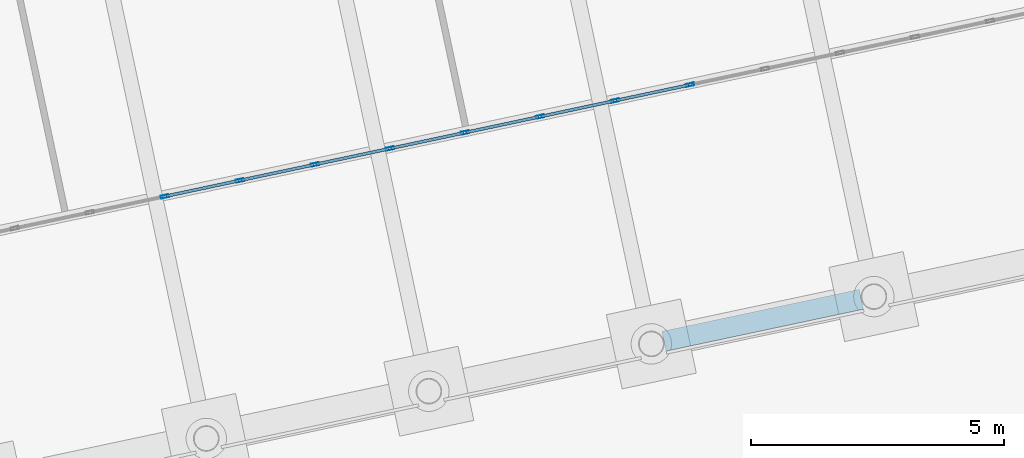
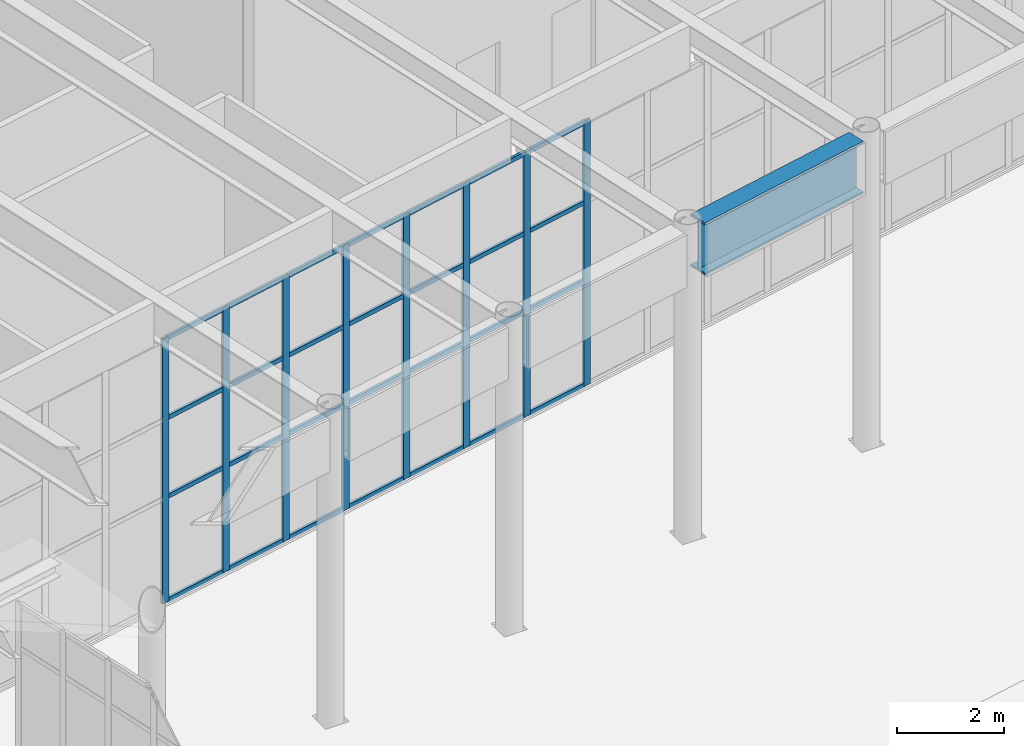
# One storey, part 91 of 239: 36 members, 1 beam, 1 element without a shape of its own.
"""IFC4 building model written with IfcOpenShell, lengths in metres."""

from ifc_helpers import new_model, si_unit, direction, frame, origin, origin_2d, place, context, subcontext, project, spatial, hollow_rectangle, i_section, extrude, material, material_profile, profile_set, type_object, element, aggregate, save


model = new_model("IFC4")

# Units and contexts
model_context = context("Model", 3, precision=1e-05, world=origin(), true_north=direction((0.0, 1.0)))
body_context = subcontext(model_context, "Body", "Model", "MODEL_VIEW")
ifc_project = project(units=[si_unit("LENGTHUNIT", "METRE"), si_unit("AREAUNIT", "SQUARE_METRE"), si_unit("VOLUMEUNIT", "CUBIC_METRE"), si_unit("PLANEANGLEUNIT", "RADIAN"), si_unit("MASSUNIT", "GRAM", prefix="KILO")], contexts=[model_context])

# Site, building, storey
site_placement = place(None, origin())
site = spatial("IfcSite", under=ifc_project, at=site_placement, CompositionType="ELEMENT")
building_placement = place(site_placement, origin())
building = spatial("IfcBuilding", under=site, at=building_placement, Name="Okhra Congress Centre", CompositionType="ELEMENT")
storey_placement = place(building_placement, origin())
storey = spatial("IfcBuildingStorey", under=building, at=storey_placement, Name="L00", CompositionType="ELEMENT", Elevation=0.0)

# Curtain wall, members
ifc_material_1 = material(Name="Aluminium curtain wall, triple glazing", Category="aluminium")
curtain_wall_type = type_object("IfcCurtainWallType", Name="Curtain wall 1500 module", PredefinedType="NOTDEFINED", material=ifc_material_1)
curtain_wall_placement = place(storey_placement, origin())
curtain_wall = element("IfcCurtainWall", 1, at=curtain_wall_placement, inside=storey, type_object=curtain_wall_type, Name="Ground curtain wall S4", PredefinedType="NOTDEFINED")
ifc_material_2 = material(Name="Aluminium alloy EN AW-6063 T66", Category="aluminium")
ifc_material_profile_1 = material_profile(ifc_material_2, hollow_rectangle(XDim=0.06005859375, YDim=0.159912109375, WallThickness=0.00390625, at=origin_2d()), Name="RHS 60x160x4")
ifc_profile_set_1 = profile_set([ifc_material_profile_1], Name="Aluminium alloy EN AW-6063 T66")
member_type_1 = type_object("IfcMemberType", Name="Curtain wall mullion 60x160", PredefinedType="MULLION", material=ifc_profile_set_1)
member_1_placement = place(storey_placement, frame((161.428955078125, 53.1171875, 0.0), z_axis=(0.0, 0.0, 1.0), x_axis=(-0.207911690818, 0.978147600734, 0.0)))
member_1 = element("IfcMember", 2, at=member_1_placement, type_object=member_type_1, Name="CW7 mullion 10", PredefinedType="MULLION", context=body_context, shape_type="SweptSolid", body=[
    extrude(hollow_rectangle(XDim=0.06005859375, YDim=0.159912109375, WallThickness=0.00390625, at=origin_2d()), origin(), (0.0, 0.0, 1.0), 6.050048828125),
])
member_2_placement = place(storey_placement, frame((162.912841796875, 53.4326171875, 0.0), z_axis=(0.0, 0.0, 1.0), x_axis=(-0.207911690818, 0.978147600734, 0.0)))
member_2 = element("IfcMember", 3, at=member_2_placement, type_object=member_type_1, Name="CW7 mullion 11", PredefinedType="MULLION", context=body_context, shape_type="SweptSolid", body=[
    extrude(hollow_rectangle(XDim=0.06005859375, YDim=0.159912109375, WallThickness=0.00390625, at=origin_2d()), origin(), (0.0, 0.0, 1.0), 6.050048828125),
])
member_3_placement = place(storey_placement, frame((164.396728515625, 53.748046875, 0.0), z_axis=(0.0, 0.0, 1.0), x_axis=(-0.207911690818, 0.978147600734, 0.0)))
member_3 = element("IfcMember", 4, at=member_3_placement, type_object=member_type_1, Name="CW7 mullion 12", PredefinedType="MULLION", context=body_context, shape_type="SweptSolid", body=[
    extrude(hollow_rectangle(XDim=0.06005859375, YDim=0.159912109375, WallThickness=0.00390625, at=origin_2d()), origin(), (0.0, 0.0, 1.0), 6.050048828125),
])
member_4_placement = place(storey_placement, frame((165.880615234375, 54.0634765625, 0.0), z_axis=(0.0, 0.0, 1.0), x_axis=(-0.207911690818, 0.978147600734, 0.0)))
member_4 = element("IfcMember", 5, at=member_4_placement, type_object=member_type_1, Name="CW7 mullion 13", PredefinedType="MULLION", context=body_context, shape_type="SweptSolid", body=[
    extrude(hollow_rectangle(XDim=0.06005859375, YDim=0.159912109375, WallThickness=0.00390625, at=origin_2d()), origin(), (0.0, 0.0, 1.0), 6.050048828125),
])
member_5_placement = place(storey_placement, frame((167.364501953125, 54.37890625, 0.0), z_axis=(0.0, 0.0, 1.0), x_axis=(-0.207911690818, 0.978147600734, 0.0)))
member_5 = element("IfcMember", 6, at=member_5_placement, type_object=member_type_1, Name="CW7 mullion 14", PredefinedType="MULLION", context=body_context, shape_type="SweptSolid", body=[
    extrude(hollow_rectangle(XDim=0.06005859375, YDim=0.159912109375, WallThickness=0.00390625, at=origin_2d()), origin(), (0.0, 0.0, 1.0), 6.050048828125),
])
member_6_placement = place(storey_placement, frame((168.848388671875, 54.6943359375, 0.0), z_axis=(0.0, 0.0, 1.0), x_axis=(-0.207911690818, 0.978147600734, 0.0)))
member_6 = element("IfcMember", 7, at=member_6_placement, type_object=member_type_1, Name="CW7 mullion 15", PredefinedType="MULLION", context=body_context, shape_type="SweptSolid", body=[
    extrude(hollow_rectangle(XDim=0.06005859375, YDim=0.159912109375, WallThickness=0.00390625, at=origin_2d()), origin(), (0.0, 0.0, 1.0), 6.050048828125),
])
member_7_placement = place(storey_placement, frame((170.332275390625, 55.009765625, 0.0), z_axis=(0.0, 0.0, 1.0), x_axis=(-0.207911690818, 0.978147600734, 0.0)))
member_7 = element("IfcMember", 8, at=member_7_placement, type_object=member_type_1, Name="CW7 mullion 16", PredefinedType="MULLION", context=body_context, shape_type="SweptSolid", body=[
    extrude(hollow_rectangle(XDim=0.06005859375, YDim=0.159912109375, WallThickness=0.00390625, at=origin_2d()), origin(), (0.0, 0.0, 1.0), 6.050048828125),
])
member_8_placement = place(storey_placement, frame((171.816162109375, 55.324951171875, 0.0), z_axis=(0.0, 0.0, 1.0), x_axis=(-0.207911690818, 0.978147600734, 0.0)))
member_8 = element("IfcMember", 9, at=member_8_placement, type_object=member_type_1, Name="CW7 mullion 17", PredefinedType="MULLION", context=body_context, shape_type="SweptSolid", body=[
    extrude(hollow_rectangle(XDim=0.06005859375, YDim=0.159912109375, WallThickness=0.00390625, at=origin_2d()), origin(), (0.0, 0.0, 1.0), 6.050048828125),
])
ifc_material_profile_2 = material_profile(ifc_material_2, hollow_rectangle(XDim=0.06005859375, YDim=0.10009765625, WallThickness=0.00390625, at=origin_2d()), Name="RHS 60x100x4")
ifc_profile_set_2 = profile_set([ifc_material_profile_2], Name="Aluminium alloy EN AW-6063 T66")
member_type_2 = type_object("IfcMemberType", Name="Curtain wall transom 60x100", PredefinedType="USERDEFINED", material=ifc_profile_set_2)
member_9_placement = place(storey_placement, frame((161.458251953125, 53.12353515625, 0.030029296875), z_axis=(0.978178435001, 0.207766574067, 0.0), x_axis=(-0.207766574067, 0.978178435001, 0.0)))
member_9 = element("IfcMember", 10, at=member_9_placement, type_object=member_type_2, Name="CW7 transom 10.1", ObjectType="TRANSOM", PredefinedType="USERDEFINED", context=body_context, shape_type="SweptSolid", body=[
    extrude(hollow_rectangle(XDim=0.06005859375, YDim=0.10009765625, WallThickness=0.00390625, at=origin_2d()), origin(), (0.0, 0.0, 1.0), 1.45703125),
])
member_10_placement = place(storey_placement, frame((161.458251953125, 53.12353515625, 2.39990234375), z_axis=(0.978178435001, 0.207766574067, 0.0), x_axis=(-0.207766574067, 0.978178435001, 0.0)))
member_10 = element("IfcMember", 11, at=member_10_placement, type_object=member_type_2, Name="CW7 transom 10.2", ObjectType="TRANSOM", PredefinedType="USERDEFINED", context=body_context, shape_type="SweptSolid", body=[
    extrude(hollow_rectangle(XDim=0.06005859375, YDim=0.10009765625, WallThickness=0.00390625, at=origin_2d()), origin(), (0.0, 0.0, 1.0), 1.45703125),
])
member_11_placement = place(storey_placement, frame((161.458251953125, 53.12353515625, 4.199951171875), z_axis=(0.978178435001, 0.207766574067, 0.0), x_axis=(-0.207766574067, 0.978178435001, 0.0)))
member_11 = element("IfcMember", 12, at=member_11_placement, type_object=member_type_2, Name="CW7 transom 10.3", ObjectType="TRANSOM", PredefinedType="USERDEFINED", context=body_context, shape_type="SweptSolid", body=[
    extrude(hollow_rectangle(XDim=0.06005859375, YDim=0.10009765625, WallThickness=0.00390625, at=origin_2d()), origin(), (0.0, 0.0, 1.0), 1.45703125),
])
member_12_placement = place(storey_placement, frame((161.458251953125, 53.12353515625, 6.02001953125), z_axis=(0.978178435001, 0.207766574067, 0.0), x_axis=(-0.207766574067, 0.978178435001, 0.0)))
member_12 = element("IfcMember", 13, at=member_12_placement, type_object=member_type_2, Name="CW7 transom 10.4", ObjectType="TRANSOM", PredefinedType="USERDEFINED", context=body_context, shape_type="SweptSolid", body=[
    extrude(hollow_rectangle(XDim=0.06005859375, YDim=0.10009765625, WallThickness=0.00390625, at=origin_2d()), origin(), (0.0, 0.0, 1.0), 1.45703125),
])
member_13_placement = place(storey_placement, frame((162.942138671875, 53.43896484375, 0.030029296875), z_axis=(0.978178435001, 0.207766574067, 0.0), x_axis=(-0.207766574067, 0.978178435001, 0.0)))
member_13 = element("IfcMember", 14, at=member_13_placement, type_object=member_type_2, Name="CW7 transom 11.1", ObjectType="TRANSOM", PredefinedType="USERDEFINED", context=body_context, shape_type="SweptSolid", body=[
    extrude(hollow_rectangle(XDim=0.06005859375, YDim=0.10009765625, WallThickness=0.00390625, at=origin_2d()), origin(), (0.0, 0.0, 1.0), 1.45703125),
])
member_14_placement = place(storey_placement, frame((162.942138671875, 53.43896484375, 2.39990234375), z_axis=(0.978178435001, 0.207766574067, 0.0), x_axis=(-0.207766574067, 0.978178435001, 0.0)))
member_14 = element("IfcMember", 15, at=member_14_placement, type_object=member_type_2, Name="CW7 transom 11.2", ObjectType="TRANSOM", PredefinedType="USERDEFINED", context=body_context, shape_type="SweptSolid", body=[
    extrude(hollow_rectangle(XDim=0.06005859375, YDim=0.10009765625, WallThickness=0.00390625, at=origin_2d()), origin(), (0.0, 0.0, 1.0), 1.45703125),
])
member_15_placement = place(storey_placement, frame((162.942138671875, 53.43896484375, 4.199951171875), z_axis=(0.978178435001, 0.207766574067, 0.0), x_axis=(-0.207766574067, 0.978178435001, 0.0)))
member_15 = element("IfcMember", 16, at=member_15_placement, type_object=member_type_2, Name="CW7 transom 11.3", ObjectType="TRANSOM", PredefinedType="USERDEFINED", context=body_context, shape_type="SweptSolid", body=[
    extrude(hollow_rectangle(XDim=0.06005859375, YDim=0.10009765625, WallThickness=0.00390625, at=origin_2d()), origin(), (0.0, 0.0, 1.0), 1.45703125),
])
member_16_placement = place(storey_placement, frame((162.942138671875, 53.43896484375, 6.02001953125), z_axis=(0.978178435001, 0.207766574067, 0.0), x_axis=(-0.207766574067, 0.978178435001, 0.0)))
member_16 = element("IfcMember", 17, at=member_16_placement, type_object=member_type_2, Name="CW7 transom 11.4", ObjectType="TRANSOM", PredefinedType="USERDEFINED", context=body_context, shape_type="SweptSolid", body=[
    extrude(hollow_rectangle(XDim=0.06005859375, YDim=0.10009765625, WallThickness=0.00390625, at=origin_2d()), origin(), (0.0, 0.0, 1.0), 1.45703125),
])
member_17_placement = place(storey_placement, frame((164.426025390625, 53.754150390625, 0.030029296875), z_axis=(0.978144370647, 0.2079268866, 0.0), x_axis=(-0.2079268866, 0.978144370647, 0.0)))
member_17 = element("IfcMember", 18, at=member_17_placement, type_object=member_type_2, Name="CW7 transom 12.1", ObjectType="TRANSOM", PredefinedType="USERDEFINED", context=body_context, shape_type="SweptSolid", body=[
    extrude(hollow_rectangle(XDim=0.06005859375, YDim=0.10009765625, WallThickness=0.00390625, at=origin_2d()), origin(), (0.0, 0.0, 1.0), 1.45703125),
])
member_18_placement = place(storey_placement, frame((164.426025390625, 53.754150390625, 2.39990234375), z_axis=(0.978144370647, 0.2079268866, 0.0), x_axis=(-0.2079268866, 0.978144370647, 0.0)))
member_18 = element("IfcMember", 19, at=member_18_placement, type_object=member_type_2, Name="CW7 transom 12.2", ObjectType="TRANSOM", PredefinedType="USERDEFINED", context=body_context, shape_type="SweptSolid", body=[
    extrude(hollow_rectangle(XDim=0.06005859375, YDim=0.10009765625, WallThickness=0.00390625, at=origin_2d()), origin(), (0.0, 0.0, 1.0), 1.45703125),
])
member_19_placement = place(storey_placement, frame((164.426025390625, 53.754150390625, 4.199951171875), z_axis=(0.978144370647, 0.2079268866, 0.0), x_axis=(-0.2079268866, 0.978144370647, 0.0)))
member_19 = element("IfcMember", 20, at=member_19_placement, type_object=member_type_2, Name="CW7 transom 12.3", ObjectType="TRANSOM", PredefinedType="USERDEFINED", context=body_context, shape_type="SweptSolid", body=[
    extrude(hollow_rectangle(XDim=0.06005859375, YDim=0.10009765625, WallThickness=0.00390625, at=origin_2d()), origin(), (0.0, 0.0, 1.0), 1.45703125),
])
member_20_placement = place(storey_placement, frame((164.426025390625, 53.754150390625, 6.02001953125), z_axis=(0.978144370647, 0.2079268866, 0.0), x_axis=(-0.2079268866, 0.978144370647, 0.0)))
member_20 = element("IfcMember", 21, at=member_20_placement, type_object=member_type_2, Name="CW7 transom 12.4", ObjectType="TRANSOM", PredefinedType="USERDEFINED", context=body_context, shape_type="SweptSolid", body=[
    extrude(hollow_rectangle(XDim=0.06005859375, YDim=0.10009765625, WallThickness=0.00390625, at=origin_2d()), origin(), (0.0, 0.0, 1.0), 1.45703125),
])
member_21_placement = place(storey_placement, frame((165.909912109375, 54.069580078125, 0.030029296875), z_axis=(0.978144370647, 0.2079268866, 0.0), x_axis=(-0.2079268866, 0.978144370647, 0.0)))
member_21 = element("IfcMember", 22, at=member_21_placement, type_object=member_type_2, Name="CW7 transom 13.1", ObjectType="TRANSOM", PredefinedType="USERDEFINED", context=body_context, shape_type="SweptSolid", body=[
    extrude(hollow_rectangle(XDim=0.06005859375, YDim=0.10009765625, WallThickness=0.00390625, at=origin_2d()), origin(), (0.0, 0.0, 1.0), 1.45703125),
])
member_22_placement = place(storey_placement, frame((165.909912109375, 54.069580078125, 2.39990234375), z_axis=(0.978144370647, 0.2079268866, 0.0), x_axis=(-0.2079268866, 0.978144370647, 0.0)))
member_22 = element("IfcMember", 23, at=member_22_placement, type_object=member_type_2, Name="CW7 transom 13.2", ObjectType="TRANSOM", PredefinedType="USERDEFINED", context=body_context, shape_type="SweptSolid", body=[
    extrude(hollow_rectangle(XDim=0.06005859375, YDim=0.10009765625, WallThickness=0.00390625, at=origin_2d()), origin(), (0.0, 0.0, 1.0), 1.45703125),
])
member_23_placement = place(storey_placement, frame((165.909912109375, 54.069580078125, 4.199951171875), z_axis=(0.978144370647, 0.2079268866, 0.0), x_axis=(-0.2079268866, 0.978144370647, 0.0)))
member_23 = element("IfcMember", 24, at=member_23_placement, type_object=member_type_2, Name="CW7 transom 13.3", ObjectType="TRANSOM", PredefinedType="USERDEFINED", context=body_context, shape_type="SweptSolid", body=[
    extrude(hollow_rectangle(XDim=0.06005859375, YDim=0.10009765625, WallThickness=0.00390625, at=origin_2d()), origin(), (0.0, 0.0, 1.0), 1.45703125),
])
member_24_placement = place(storey_placement, frame((165.909912109375, 54.069580078125, 6.02001953125), z_axis=(0.978144370647, 0.2079268866, 0.0), x_axis=(-0.2079268866, 0.978144370647, 0.0)))
member_24 = element("IfcMember", 25, at=member_24_placement, type_object=member_type_2, Name="CW7 transom 13.4", ObjectType="TRANSOM", PredefinedType="USERDEFINED", context=body_context, shape_type="SweptSolid", body=[
    extrude(hollow_rectangle(XDim=0.06005859375, YDim=0.10009765625, WallThickness=0.00390625, at=origin_2d()), origin(), (0.0, 0.0, 1.0), 1.45703125),
])
member_25_placement = place(storey_placement, frame((167.393798828125, 54.385009765625, 0.030029296875), z_axis=(0.978144370647, 0.2079268866, 0.0), x_axis=(-0.2079268866, 0.978144370647, 0.0)))
member_25 = element("IfcMember", 26, at=member_25_placement, type_object=member_type_2, Name="CW7 transom 14.1", ObjectType="TRANSOM", PredefinedType="USERDEFINED", context=body_context, shape_type="SweptSolid", body=[
    extrude(hollow_rectangle(XDim=0.06005859375, YDim=0.10009765625, WallThickness=0.00390625, at=origin_2d()), origin(), (0.0, 0.0, 1.0), 1.45703125),
])
member_26_placement = place(storey_placement, frame((167.393798828125, 54.385009765625, 2.39990234375), z_axis=(0.978144370647, 0.2079268866, 0.0), x_axis=(-0.2079268866, 0.978144370647, 0.0)))
member_26 = element("IfcMember", 27, at=member_26_placement, type_object=member_type_2, Name="CW7 transom 14.2", ObjectType="TRANSOM", PredefinedType="USERDEFINED", context=body_context, shape_type="SweptSolid", body=[
    extrude(hollow_rectangle(XDim=0.06005859375, YDim=0.10009765625, WallThickness=0.00390625, at=origin_2d()), origin(), (0.0, 0.0, 1.0), 1.45703125),
])
member_27_placement = place(storey_placement, frame((167.393798828125, 54.385009765625, 4.199951171875), z_axis=(0.978144370647, 0.2079268866, 0.0), x_axis=(-0.2079268866, 0.978144370647, 0.0)))
member_27 = element("IfcMember", 28, at=member_27_placement, type_object=member_type_2, Name="CW7 transom 14.3", ObjectType="TRANSOM", PredefinedType="USERDEFINED", context=body_context, shape_type="SweptSolid", body=[
    extrude(hollow_rectangle(XDim=0.06005859375, YDim=0.10009765625, WallThickness=0.00390625, at=origin_2d()), origin(), (0.0, 0.0, 1.0), 1.45703125),
])
member_28_placement = place(storey_placement, frame((167.393798828125, 54.385009765625, 6.02001953125), z_axis=(0.978144370647, 0.2079268866, 0.0), x_axis=(-0.2079268866, 0.978144370647, 0.0)))
member_28 = element("IfcMember", 29, at=member_28_placement, type_object=member_type_2, Name="CW7 transom 14.4", ObjectType="TRANSOM", PredefinedType="USERDEFINED", context=body_context, shape_type="SweptSolid", body=[
    extrude(hollow_rectangle(XDim=0.06005859375, YDim=0.10009765625, WallThickness=0.00390625, at=origin_2d()), origin(), (0.0, 0.0, 1.0), 1.45703125),
])
member_29_placement = place(storey_placement, frame((168.877685546875, 54.700439453125, 0.030029296875), z_axis=(0.978144370647, 0.2079268866, 0.0), x_axis=(-0.2079268866, 0.978144370647, 0.0)))
member_29 = element("IfcMember", 30, at=member_29_placement, type_object=member_type_2, Name="CW7 transom 15.1", ObjectType="TRANSOM", PredefinedType="USERDEFINED", context=body_context, shape_type="SweptSolid", body=[
    extrude(hollow_rectangle(XDim=0.06005859375, YDim=0.10009765625, WallThickness=0.00390625, at=origin_2d()), origin(), (0.0, 0.0, 1.0), 1.45703125),
])
member_30_placement = place(storey_placement, frame((168.877685546875, 54.700439453125, 2.39990234375), z_axis=(0.978144370647, 0.2079268866, 0.0), x_axis=(-0.2079268866, 0.978144370647, 0.0)))
member_30 = element("IfcMember", 31, at=member_30_placement, type_object=member_type_2, Name="CW7 transom 15.2", ObjectType="TRANSOM", PredefinedType="USERDEFINED", context=body_context, shape_type="SweptSolid", body=[
    extrude(hollow_rectangle(XDim=0.06005859375, YDim=0.10009765625, WallThickness=0.00390625, at=origin_2d()), origin(), (0.0, 0.0, 1.0), 1.45703125),
])
member_31_placement = place(storey_placement, frame((168.877685546875, 54.700439453125, 4.199951171875), z_axis=(0.978144370647, 0.2079268866, 0.0), x_axis=(-0.2079268866, 0.978144370647, 0.0)))
member_31 = element("IfcMember", 32, at=member_31_placement, type_object=member_type_2, Name="CW7 transom 15.3", ObjectType="TRANSOM", PredefinedType="USERDEFINED", context=body_context, shape_type="SweptSolid", body=[
    extrude(hollow_rectangle(XDim=0.06005859375, YDim=0.10009765625, WallThickness=0.00390625, at=origin_2d()), origin(), (0.0, 0.0, 1.0), 1.45703125),
])
member_32_placement = place(storey_placement, frame((168.877685546875, 54.700439453125, 6.02001953125), z_axis=(0.978144370647, 0.2079268866, 0.0), x_axis=(-0.2079268866, 0.978144370647, 0.0)))
member_32 = element("IfcMember", 33, at=member_32_placement, type_object=member_type_2, Name="CW7 transom 15.4", ObjectType="TRANSOM", PredefinedType="USERDEFINED", context=body_context, shape_type="SweptSolid", body=[
    extrude(hollow_rectangle(XDim=0.06005859375, YDim=0.10009765625, WallThickness=0.00390625, at=origin_2d()), origin(), (0.0, 0.0, 1.0), 1.45703125),
])
member_33_placement = place(storey_placement, frame((170.361572265625, 55.015869140625, 0.030029296875), z_axis=(0.978144370647, 0.2079268866, 0.0), x_axis=(-0.2079268866, 0.978144370647, 0.0)))
member_33 = element("IfcMember", 34, at=member_33_placement, type_object=member_type_2, Name="CW7 transom 16.1", ObjectType="TRANSOM", PredefinedType="USERDEFINED", context=body_context, shape_type="SweptSolid", body=[
    extrude(hollow_rectangle(XDim=0.06005859375, YDim=0.10009765625, WallThickness=0.00390625, at=origin_2d()), origin(), (0.0, 0.0, 1.0), 1.45703125),
])
member_34_placement = place(storey_placement, frame((170.361572265625, 55.015869140625, 2.39990234375), z_axis=(0.978144370647, 0.2079268866, 0.0), x_axis=(-0.2079268866, 0.978144370647, 0.0)))
member_34 = element("IfcMember", 35, at=member_34_placement, type_object=member_type_2, Name="CW7 transom 16.2", ObjectType="TRANSOM", PredefinedType="USERDEFINED", context=body_context, shape_type="SweptSolid", body=[
    extrude(hollow_rectangle(XDim=0.06005859375, YDim=0.10009765625, WallThickness=0.00390625, at=origin_2d()), origin(), (0.0, 0.0, 1.0), 1.45703125),
])
member_35_placement = place(storey_placement, frame((170.361572265625, 55.015869140625, 4.199951171875), z_axis=(0.978144370647, 0.2079268866, 0.0), x_axis=(-0.2079268866, 0.978144370647, 0.0)))
member_35 = element("IfcMember", 36, at=member_35_placement, type_object=member_type_2, Name="CW7 transom 16.3", ObjectType="TRANSOM", PredefinedType="USERDEFINED", context=body_context, shape_type="SweptSolid", body=[
    extrude(hollow_rectangle(XDim=0.06005859375, YDim=0.10009765625, WallThickness=0.00390625, at=origin_2d()), origin(), (0.0, 0.0, 1.0), 1.45703125),
])
member_36_placement = place(storey_placement, frame((170.361572265625, 55.015869140625, 6.02001953125), z_axis=(0.978144370647, 0.2079268866, 0.0), x_axis=(-0.2079268866, 0.978144370647, 0.0)))
member_36 = element("IfcMember", 37, at=member_36_placement, type_object=member_type_2, Name="CW7 transom 16.4", ObjectType="TRANSOM", PredefinedType="USERDEFINED", context=body_context, shape_type="SweptSolid", body=[
    extrude(hollow_rectangle(XDim=0.06005859375, YDim=0.10009765625, WallThickness=0.00390625, at=origin_2d()), origin(), (0.0, 0.0, 1.0), 1.45703125),
])
aggregate(curtain_wall, [member_1, member_2, member_3, member_4, member_5, member_6, member_7, member_8, member_9, member_10, member_11, member_12, member_13, member_14, member_15, member_16, member_17, member_18, member_19, member_20, member_21, member_22, member_23, member_24, member_25, member_26, member_27, member_28, member_29, member_30, member_31, member_32, member_33, member_34, member_35, member_36])

# Beam
ifc_material_3 = material(Name="Steel S355J2", Category="steel")
ifc_material_profile_3 = material_profile(ifc_material_3, i_section(OverallWidth=0.39990234375, OverallDepth=1.199951171875, WebThickness=0.02490234375, FlangeThickness=0.050048828125, at=origin_2d()), Name="Plate girder 1200x400")
ifc_profile_set_3 = profile_set([ifc_material_profile_3], Name="Steel S355J2")
beam_type = type_object("IfcBeamType", Name="Perimeter plate girder 1200x400", PredefinedType="BEAM", material=ifc_profile_set_3)
beam_placement = place(storey_placement, frame((171.301025390625, 50.252197265625, 6.449951171875), z_axis=(0.978155431297, 0.207874847504, 0.0), x_axis=(-0.207874847504, 0.978155431297, 0.0)))
element("IfcBeam", 38, at=beam_placement, inside=storey, type_object=beam_type, Name="Perimeter girder S23", PredefinedType="BEAM", context=body_context, shape_type="SweptSolid", body=[
    extrude(i_section(OverallWidth=0.39990234375, OverallDepth=1.199951171875, WebThickness=0.02490234375, FlangeThickness=0.050048828125, at=origin_2d()), origin(), (0.0, 0.0, 1.0), 3.991943359375),
])

save(model, "model.ifc")
